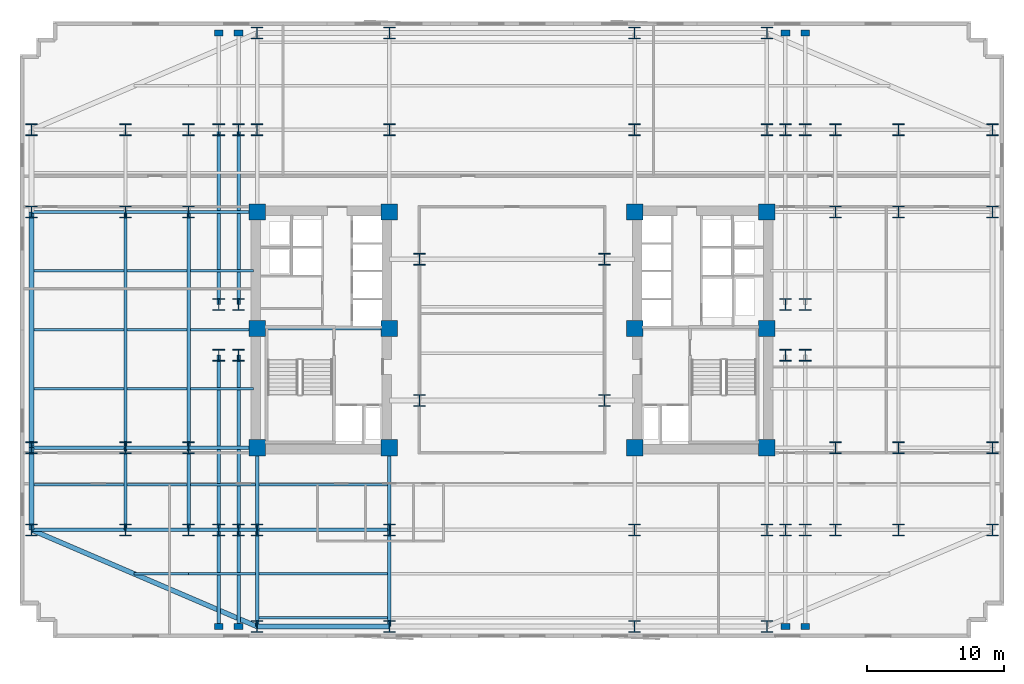
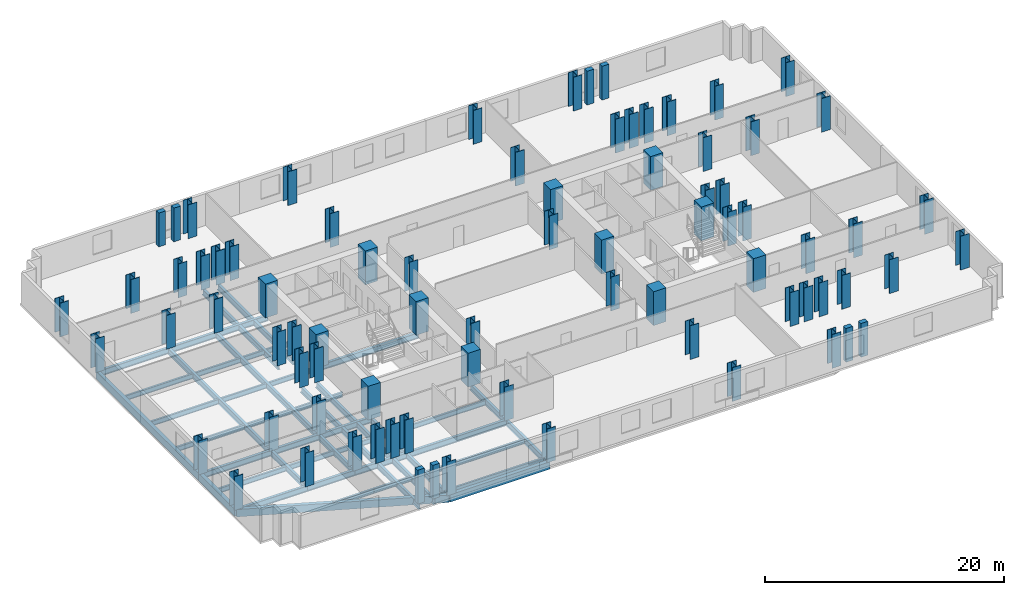
# One storey, part 1 of 10: 80 columns, 46 beams.
"""IFC4 building model written with IfcOpenShell, lengths in metres."""

import ifcopenshell
import ifcopenshell.guid

model = None  # the IFC model being written
_history = None  # IfcOwnerHistory: only IFC2X3 demands one
_inside = {}  # id of a spatial element -> (the spatial element, [elements in it])
_under = {}  # id of a project, library or spatial element -> (it, [spatial elements below it])
_declared = {}  # id of a project -> (the project, [libraries it declares])
_typed = {}  # id of a type object -> (the type object, [elements of that type])
_made_of = {}  # id of a material, layer set ... -> (it, [elements and type objects made of it])


def new_model(schema):
    """Start an empty IFC model of exactly this schema.

    Asked for "IFC4X3", IfcOpenShell would pick the latest addendum, in which some entities
    have other attributes; the version numbers below select the first issue.
    IFC2X3 requires an IfcOwnerHistory on every rooted entity: one is made here for all.
    """
    global model, _history
    if schema == "IFC4X3":
        model = ifcopenshell.file(schema_version=(4, 3, 0, 0))
    else:
        model = ifcopenshell.file(schema=schema)
    _inside.clear()
    _under.clear()
    _declared.clear()
    _typed.clear()
    _made_of.clear()
    _history = None
    if model.schema == "IFC2X3":
        org = make("IfcOrganization", Name="unknown")
        user = make(
            "IfcPersonAndOrganization",
            ThePerson=make("IfcPerson", FamilyName="unknown"),
            TheOrganization=org,
        )
        app = make(
            "IfcApplication",
            ApplicationDeveloper=org,
            Version="unknown",
            ApplicationFullName="unknown",
            ApplicationIdentifier="unknown",
        )
        _history = make(
            "IfcOwnerHistory",
            OwningUser=user,
            OwningApplication=app,
            ChangeAction="ADDED",
            CreationDate=0,
        )
    return model


def make(cls, **values):
    """One entity of the class cls with the attributes given. An attribute that is None is left unset."""
    return model.create_entity(
        cls, **{name: value for name, value in values.items() if value is not None}
    )


def rooted(cls, **values):
    """An entity with a GlobalId (a new one), such as an element, a storey or a relation."""
    return make(cls, GlobalId=ifcopenshell.guid.new(), OwnerHistory=_history, **values)


def si_unit(unit_type, name, prefix=None):
    """IfcSIUnit, for example si_unit("LENGTHUNIT", "METRE", prefix="MILLI")."""
    return make("IfcSIUnit", UnitType=unit_type, Prefix=prefix, Name=name)


def assignment(units):
    """IfcUnitAssignment: the units of a project."""
    return None if units is None else make("IfcUnitAssignment", Units=units)


def point(xyz):
    """IfcCartesianPoint."""
    return None if xyz is None else make("IfcCartesianPoint", Coordinates=xyz)


def direction(xyz):
    """IfcDirection."""
    return None if xyz is None else make("IfcDirection", DirectionRatios=xyz)


def frame(location, z_axis=None, x_axis=None):
    """IfcAxis2Placement3D, a coordinate frame: its origin and axes. An axis left out is left unset."""
    return make(
        "IfcAxis2Placement3D",
        Location=point(location),
        Axis=direction(z_axis),
        RefDirection=direction(x_axis),
    )


def frame_2d(location, x_axis=None):
    """IfcAxis2Placement2D, a coordinate frame in the plane: its origin and x axis."""
    return make(
        "IfcAxis2Placement2D", Location=point(location), RefDirection=direction(x_axis)
    )


def origin():
    """The frame at (0, 0, 0) with its axes left unset."""
    return frame((0.0, 0.0, 0.0))


def origin_2d():
    """The frame at (0, 0) in the plane with its x axis left unset."""
    return frame_2d((0.0, 0.0))


def place(relative_to, where):
    """IfcLocalPlacement: puts the frame where relative to a parent placement (None: the world)."""
    return make(
        "IfcLocalPlacement", PlacementRelTo=relative_to, RelativePlacement=where
    )


def context(
    kind, dimensions, precision=None, world=None, true_north=None, identifier=None
):
    """IfcGeometricRepresentationContext, for example the 3D "Model" context."""
    return make(
        "IfcGeometricRepresentationContext",
        ContextIdentifier=identifier,
        ContextType=kind,
        CoordinateSpaceDimension=dimensions,
        Precision=precision,
        WorldCoordinateSystem=world,
        TrueNorth=true_north,
    )


def subcontext(parent, identifier, kind, view, scale=None):
    """IfcGeometricRepresentationSubContext, for example "Body" below "Model"."""
    return make(
        "IfcGeometricRepresentationSubContext",
        ContextIdentifier=identifier,
        ContextType=kind,
        ParentContext=parent,
        TargetScale=scale,
        TargetView=view,
    )


def project(units=None, contexts=None):
    """IfcProject with its units and contexts."""
    return rooted(
        "IfcProject",
        Name="project",
        RepresentationContexts=contexts,
        UnitsInContext=assignment(units),
    )


def spatial(cls, under=None, at=None, **own):
    """A site, building, storey or space (cls), placed at a placement, below another one or the project."""
    s = rooted(cls, ObjectPlacement=at, **own)
    if under is not None:
        _under.setdefault(under.id(), (under, []))[1].append(s)
    return s


def profile(cls, at=None, kind="AREA", **sizes):
    """A parametric profile (cls). Its sizes go by their IFC names, for example OverallWidth=200.0."""
    return make(cls, ProfileType=kind, Position=at, **sizes)


def rectangle(**sizes):
    """IfcRectangleProfileDef."""
    return profile("IfcRectangleProfileDef", **sizes)


def i_section(**sizes):
    """IfcIShapeProfileDef."""
    return profile("IfcIShapeProfileDef", **sizes)


def extrude(swept, where, along, depth):
    """IfcExtrudedAreaSolid: the profile swept, set in the frame where, extruded along a direction by depth."""
    return make(
        "IfcExtrudedAreaSolid",
        SweptArea=swept,
        Position=where,
        ExtrudedDirection=direction(along),
        Depth=depth,
    )


def shape(context_of_items, identifier, shape_type, items):
    """IfcShapeRepresentation: the items that make up one representation, for example the "Body"."""
    return make(
        "IfcShapeRepresentation",
        ContextOfItems=context_of_items,
        RepresentationIdentifier=identifier,
        RepresentationType=shape_type,
        Items=items,
    )


def material(Name=None, Category=None):
    """IfcMaterial."""
    return make("IfcMaterial", Name=Name, Category=Category)


def material_profile(
    of_material, cross_section, Name=None, Category=None, Priority=None
):
    """IfcMaterialProfile: a cross section and its material."""
    return make(
        "IfcMaterialProfile",
        Name=Name,
        Material=of_material,
        Profile=cross_section,
        Priority=Priority,
        Category=Category,
    )


def profile_set(profiles, Name=None, composite=None):
    """IfcMaterialProfileSet."""
    return make(
        "IfcMaterialProfileSet",
        Name=Name,
        MaterialProfiles=profiles,
        CompositeProfile=composite,
    )


def made_of(thing, what):
    """Note that an element or type object is made of a material, layer set ...; save() writes the relation."""
    if what is not None:
        _made_of.setdefault(what.id(), (what, []))[1].append(thing)
    return thing


def type_object(cls, material=None, **own):
    """A type object (cls), such as IfcWallType, which elements share."""
    return made_of(rooted(cls, **own), material)


def element(
    cls,
    number,
    at=None,
    inside=None,
    cuts=None,
    type_object=None,
    material=None,
    context=None,
    identifier="Body",
    shape_type=None,
    held_by="IfcProductDefinitionShape",
    body=None,
    shapes=None,
    **own,
):
    """One element of the class cls, such as IfcWall. Its Tag is "e" and its number.

    at: its placement. inside: the storey or other place that contains it. cuts: it is an
    opening in that element (IfcRelVoidsElement). A single representation is given by context,
    identifier, shape_type and body (its items); several are given by shapes. held_by: the class
    of the entity that holds the representations. save() writes the other relations.
    """
    e = rooted(cls, Tag="e%d" % number, ObjectPlacement=at, **own)
    if body is not None:
        shapes = [shape(context, identifier, shape_type, body)]
    if shapes is not None:
        e.Representation = make(held_by, Representations=shapes)
    if inside is not None:
        _inside.setdefault(inside.id(), (inside, []))[1].append(e)
    if cuts is not None:
        rooted(
            "IfcRelVoidsElement", RelatingBuildingElement=cuts, RelatedOpeningElement=e
        )
    if type_object is not None:
        _typed.setdefault(type_object.id(), (type_object, []))[1].append(e)
    return made_of(e, material)


def aggregate(whole, parts):
    """IfcRelAggregates: a whole, such as a stair, and the parts it consists of."""
    return rooted("IfcRelAggregates", RelatingObject=whole, RelatedObjects=parts)


def save(model, path):
    """Write the relations noted so far, then the file.

    IfcRelAggregates (storeys below a building ...), IfcRelContainedInSpatialStructure (elements
    in a storey), IfcRelDefinesByType, IfcRelAssociatesMaterial and IfcRelDeclares: one each for
    every whole, place, type object, material and project.
    """
    for whole, parts in _under.values():
        aggregate(whole, parts)
    for where, things in _inside.values():
        rooted(
            "IfcRelContainedInSpatialStructure",
            RelatedElements=things,
            RelatingStructure=where,
        )
    for kind, things in _typed.values():
        rooted("IfcRelDefinesByType", RelatedObjects=things, RelatingType=kind)
    for what, things in _made_of.values():
        rooted("IfcRelAssociatesMaterial", RelatedObjects=things, RelatingMaterial=what)
    for by, libraries in _declared.values():
        rooted("IfcRelDeclares", RelatingContext=by, RelatedDefinitions=libraries)
    model.write(path)


model = new_model("IFC4")

# Units and contexts
model_context = context("Model", 3, precision=1e-05, world=origin(), true_north=direction((0.0, 1.0)))
body_context = subcontext(model_context, "Body", "Model", "MODEL_VIEW")
ifc_project = project(units=[si_unit("LENGTHUNIT", "METRE"), si_unit("AREAUNIT", "SQUARE_METRE"), si_unit("VOLUMEUNIT", "CUBIC_METRE"), si_unit("PLANEANGLEUNIT", "RADIAN"), si_unit("MASSUNIT", "GRAM", prefix="KILO")], contexts=[model_context])

# Site, building, storey
site_placement = place(None, origin())
site = spatial("IfcSite", under=ifc_project, at=site_placement, CompositionType="ELEMENT")
building_placement = place(site_placement, origin())
building = spatial("IfcBuilding", under=site, at=building_placement, Name="Velakula Bourse", CompositionType="ELEMENT")
storey_placement = place(building_placement, frame((0.0, 0.0, 38.10009765625)))
storey = spatial("IfcBuildingStorey", under=building, at=storey_placement, Name="L09", CompositionType="ELEMENT", Elevation=38.10009765625)

# Columns
ifc_material_1 = material(Name="Concrete M70 (fck 70 MPa)", Category="concrete")
ifc_material_profile_1 = material_profile(ifc_material_1, rectangle(XDim=1.199951171875, YDim=1.199951171875, at=origin_2d()), Name="Concrete M70 (fck 70 MPa)")
ifc_profile_set_1 = profile_set([ifc_material_profile_1], Name="Concrete M70 (fck 70 MPa)")
column_type_1 = type_object("IfcColumnType", Name="COL-RC-1200", PredefinedType="COLUMN", material=ifc_profile_set_1)
for number, where, z_axis, x_axis, name in (
    (1, (-8.949951171875, -8.60009765625, 0.0), (0.0, 0.0, 1.0), (1.0, 0.0, 0.0), "L09 Core Boundary Column 01"),
    (2, (-8.949951171875, 0.10009765625, 0.0), (0.0, 0.0, 1.0), (1.0, 0.0, 0.0), "L09 Core Boundary Column 02"),
    (3, (-8.949951171875, 8.60009765625, 0.0), (0.0, 0.0, 1.0), (1.0, 0.0, 0.0), "L09 Core Boundary Column 03"),
    (4, (-18.60009765625, -8.60009765625, 0.0), (0.0, 0.0, 1.0), (1.0, 0.0, 0.0), "L09 Core Boundary Column 04"),
    (5, (-18.60009765625, 0.10009765625, 0.0), (0.0, 0.0, 1.0), (1.0, 0.0, 0.0), "L09 Core Boundary Column 05"),
    (6, (-18.60009765625, 8.60009765625, 0.0), (0.0, 0.0, 1.0), (1.0, 0.0, 0.0), "L09 Core Boundary Column 06"),
    (7, (8.949951171875, -8.60009765625, 0.0), (0.0, 0.0, 1.0), (1.0, 0.0, 0.0), "L09 Core Boundary Column 07"),
    (8, (8.949951171875, 0.10009765625, 0.0), (0.0, 0.0, 1.0), (1.0, 0.0, 0.0), "L09 Core Boundary Column 08"),
    (9, (8.949951171875, 8.60009765625, 0.0), (0.0, 0.0, 1.0), (1.0, 0.0, 0.0), "L09 Core Boundary Column 09"),
    (10, (18.60009765625, -8.60009765625, 0.0), (0.0, 0.0, 1.0), (1.0, 0.0, 0.0), "L09 Core Boundary Column 10"),
    (11, (18.60009765625, 0.10009765625, 0.0), (0.0, 0.0, 1.0), (1.0, 0.0, 0.0), "L09 Core Boundary Column 11"),
    (12, (18.60009765625, 8.60009765625, 0.0), (0.0, 0.0, 1.0), (1.0, 0.0, 0.0), "L09 Core Boundary Column 12"),
):
    element("IfcColumn", number, at=place(storey_placement, frame(where, z_axis=z_axis, x_axis=x_axis)), inside=storey, type_object=column_type_1, Name=name, PredefinedType="COLUMN", context=body_context, shape_type="SweptSolid", body=[
        extrude(rectangle(XDim=1.199951171875, YDim=1.199951171875, at=origin_2d()), origin(), (0.0, 0.0, 1.0), 3.449951171875),
    ])
ifc_material_2 = material(Name="Steel IS 2062 Grade 450 (E450)", Category="steel")
ifc_material_profile_2 = material_profile(ifc_material_2, i_section(OverallWidth=0.85009765625, OverallDepth=0.85009765625, WebThickness=0.031982421875, FlangeThickness=0.048095703125, at=origin_2d()), Name="Steel IS 2062 Grade 450 (E450)")
ifc_profile_set_2 = profile_set([ifc_material_profile_2], Name="Steel IS 2062 Grade 450 (E450)")
column_type_2 = type_object("IfcColumnType", Name="COL-STL-850", PredefinedType="COLUMN", material=ifc_profile_set_2)
for number, where, z_axis, x_axis, name in (
    (13, (-6.75, -5.14990234375, 0.0), (0.0, 0.0, 1.0), (1.0, 0.0, 0.0), "L09 Central Spine Column 01"),
    (14, (-6.75, 5.14990234375, 0.0), (0.0, 0.0, 1.0), (1.0, 0.0, 0.0), "L09 Central Spine Column 02"),
    (15, (6.75, -5.14990234375, 0.0), (0.0, 0.0, 1.0), (1.0, 0.0, 0.0), "L09 Central Spine Column 03"),
    (16, (6.75, 5.14990234375, 0.0), (0.0, 0.0, 1.0), (1.0, 0.0, 0.0), "L09 Central Spine Column 04"),
    (17, (-21.39990234375, -14.60009765625, 0.0), (0.0, 0.0, 1.0), (1.0, 0.0, 0.0), "L09 Tower Fulcrum Column 01"),
    (18, (-21.39990234375, 14.60009765625, 0.0), (0.0, 0.0, 1.0), (1.0, 0.0, 0.0), "L09 Tower Fulcrum Column 02"),
    (19, (-19.949951171875, -14.60009765625, 0.0), (0.0, 0.0, 1.0), (1.0, 0.0, 0.0), "L09 Tower Fulcrum Column 03"),
    (20, (-19.949951171875, 14.60009765625, 0.0), (0.0, 0.0, 1.0), (1.0, 0.0, 0.0), "L09 Tower Fulcrum Column 04"),
    (21, (-18.60009765625, -14.60009765625, 0.0), (0.0, 0.0, 1.0), (1.0, 0.0, 0.0), "L09 Tower Fulcrum Column 05"),
    (22, (-18.60009765625, 14.60009765625, 0.0), (0.0, 0.0, 1.0), (1.0, 0.0, 0.0), "L09 Tower Fulcrum Column 06"),
    (23, (-8.949951171875, -14.60009765625, 0.0), (0.0, 0.0, 1.0), (1.0, 0.0, 0.0), "L09 Tower Fulcrum Column 07"),
    (24, (-8.949951171875, 14.60009765625, 0.0), (0.0, 0.0, 1.0), (1.0, 0.0, 0.0), "L09 Tower Fulcrum Column 08"),
    (25, (8.949951171875, -14.60009765625, 0.0), (0.0, 0.0, 1.0), (1.0, 0.0, 0.0), "L09 Tower Fulcrum Column 09"),
    (26, (8.949951171875, 14.60009765625, 0.0), (0.0, 0.0, 1.0), (1.0, 0.0, 0.0), "L09 Tower Fulcrum Column 10"),
    (27, (18.60009765625, -14.60009765625, 0.0), (0.0, 0.0, 1.0), (1.0, 0.0, 0.0), "L09 Tower Fulcrum Column 11"),
    (28, (18.60009765625, 14.60009765625, 0.0), (0.0, 0.0, 1.0), (1.0, 0.0, 0.0), "L09 Tower Fulcrum Column 12"),
    (29, (19.949951171875, -14.60009765625, 0.0), (0.0, 0.0, 1.0), (1.0, 0.0, 0.0), "L09 Tower Fulcrum Column 13"),
    (30, (19.949951171875, 14.60009765625, 0.0), (0.0, 0.0, 1.0), (1.0, 0.0, 0.0), "L09 Tower Fulcrum Column 14"),
    (31, (21.39990234375, -14.60009765625, 0.0), (0.0, 0.0, 1.0), (1.0, 0.0, 0.0), "L09 Tower Fulcrum Column 15"),
    (32, (21.39990234375, 14.60009765625, 0.0), (0.0, 0.0, 1.0), (1.0, 0.0, 0.0), "L09 Tower Fulcrum Column 16"),
    (33, (-21.39990234375, -1.85009765625, 0.0), (0.0, 0.0, 1.0), (1.0, 0.0, 0.0), "L09 Tower Fulcrum Column 17"),
    (34, (-21.39990234375, 1.85009765625, 0.0), (0.0, 0.0, 1.0), (1.0, 0.0, 0.0), "L09 Tower Fulcrum Column 18"),
    (35, (-19.949951171875, -1.85009765625, 0.0), (0.0, 0.0, 1.0), (1.0, 0.0, 0.0), "L09 Tower Fulcrum Column 19"),
    (36, (-19.949951171875, 1.85009765625, 0.0), (0.0, 0.0, 1.0), (1.0, 0.0, 0.0), "L09 Tower Fulcrum Column 20"),
    (37, (19.949951171875, -1.85009765625, 0.0), (0.0, 0.0, 1.0), (1.0, 0.0, 0.0), "L09 Tower Fulcrum Column 21"),
    (38, (19.949951171875, 1.85009765625, 0.0), (0.0, 0.0, 1.0), (1.0, 0.0, 0.0), "L09 Tower Fulcrum Column 22"),
    (39, (21.39990234375, -1.85009765625, 0.0), (0.0, 0.0, 1.0), (1.0, 0.0, 0.0), "L09 Tower Fulcrum Column 23"),
    (40, (21.39990234375, 1.85009765625, 0.0), (0.0, 0.0, 1.0), (1.0, 0.0, 0.0), "L09 Tower Fulcrum Column 24"),
    (41, (-23.60009765625, -14.60009765625, 0.0), (0.0, 0.0, 1.0), (1.0, 0.0, 0.0), "L09 Mid-Wing Plumb Column 01"),
    (42, (-23.60009765625, -8.60009765625, 0.0), (0.0, 0.0, 1.0), (1.0, 0.0, 0.0), "L09 Mid-Wing Plumb Column 02"),
    (43, (-23.60009765625, 8.60009765625, 0.0), (0.0, 0.0, 1.0), (1.0, 0.0, 0.0), "L09 Mid-Wing Plumb Column 03"),
    (44, (-23.60009765625, 14.60009765625, 0.0), (0.0, 0.0, 1.0), (1.0, 0.0, 0.0), "L09 Mid-Wing Plumb Column 04"),
    (45, (23.60009765625, -14.60009765625, 0.0), (0.0, 0.0, 1.0), (1.0, 0.0, 0.0), "L09 Mid-Wing Plumb Column 05"),
    (46, (23.60009765625, -8.60009765625, 0.0), (0.0, 0.0, 1.0), (1.0, 0.0, 0.0), "L09 Mid-Wing Plumb Column 06"),
    (47, (23.60009765625, 8.60009765625, 0.0), (0.0, 0.0, 1.0), (1.0, 0.0, 0.0), "L09 Mid-Wing Plumb Column 07"),
    (48, (23.60009765625, 14.60009765625, 0.0), (0.0, 0.0, 1.0), (1.0, 0.0, 0.0), "L09 Mid-Wing Plumb Column 08"),
    (49, (-28.199951171875, -14.60009765625, 0.0), (0.0, 0.0, 1.0), (1.0, 0.0, 0.0), "L09 Lower Wing Column 01"),
    (50, (-28.199951171875, -8.60009765625, 0.0), (0.0, 0.0, 1.0), (1.0, 0.0, 0.0), "L09 Lower Wing Column 02"),
    (51, (-28.199951171875, 8.60009765625, 0.0), (0.0, 0.0, 1.0), (1.0, 0.0, 0.0), "L09 Lower Wing Column 03"),
    (52, (-28.199951171875, 14.60009765625, 0.0), (0.0, 0.0, 1.0), (1.0, 0.0, 0.0), "L09 Lower Wing Column 04"),
    (53, (28.199951171875, -14.60009765625, 0.0), (0.0, 0.0, 1.0), (1.0, 0.0, 0.0), "L09 Lower Wing Column 05"),
    (54, (28.199951171875, -8.60009765625, 0.0), (0.0, 0.0, 1.0), (1.0, 0.0, 0.0), "L09 Lower Wing Column 06"),
    (55, (28.199951171875, 8.60009765625, 0.0), (0.0, 0.0, 1.0), (1.0, 0.0, 0.0), "L09 Lower Wing Column 07"),
    (56, (28.199951171875, 14.60009765625, 0.0), (0.0, 0.0, 1.0), (1.0, 0.0, 0.0), "L09 Lower Wing Column 08"),
    (57, (-18.60009765625, -21.64990234375, 0.0), (0.0, 0.0, 1.0), (1.0, 0.0, 0.0), "L09 Block B1 Perimeter Column S1"),
    (58, (-8.949951171875, -21.64990234375, 0.0), (0.0, 0.0, 1.0), (1.0, 0.0, 0.0), "L09 Block B1 Perimeter Column S2"),
    (59, (8.949951171875, -21.64990234375, 0.0), (0.0, 0.0, 1.0), (1.0, 0.0, 0.0), "L09 Block B1 Perimeter Column S3"),
    (60, (18.60009765625, -21.64990234375, 0.0), (0.0, 0.0, 1.0), (1.0, 0.0, 0.0), "L09 Block B1 Perimeter Column S4"),
    (61, (-18.60009765625, 21.64990234375, 0.0), (0.0, 0.0, 1.0), (1.0, 0.0, 0.0), "L09 Block B1 Perimeter Column N1"),
    (62, (-8.949951171875, 21.64990234375, 0.0), (0.0, 0.0, 1.0), (1.0, 0.0, 0.0), "L09 Block B1 Perimeter Column N2"),
    (63, (8.949951171875, 21.64990234375, 0.0), (0.0, 0.0, 1.0), (1.0, 0.0, 0.0), "L09 Block B1 Perimeter Column N3"),
    (64, (18.60009765625, 21.64990234375, 0.0), (0.0, 0.0, 1.0), (1.0, 0.0, 0.0), "L09 Block B1 Perimeter Column N4"),
    (65, (-35.050048828125, -14.60009765625, 0.0), (0.0, 0.0, 1.0), (1.0, 0.0, 0.0), "L09 Block B1 Perimeter Column W1"),
    (66, (-35.050048828125, -8.60009765625, 0.0), (0.0, 0.0, 1.0), (1.0, 0.0, 0.0), "L09 Block B1 Perimeter Column W2"),
    (67, (-35.050048828125, 8.60009765625, 0.0), (0.0, 0.0, 1.0), (1.0, 0.0, 0.0), "L09 Block B1 Perimeter Column W3"),
    (68, (-35.050048828125, 14.60009765625, 0.0), (0.0, 0.0, 1.0), (1.0, 0.0, 0.0), "L09 Block B1 Perimeter Column W4"),
    (69, (35.050048828125, -14.60009765625, 0.0), (0.0, 0.0, 1.0), (1.0, 0.0, 0.0), "L09 Block B1 Perimeter Column E1"),
    (70, (35.050048828125, -8.60009765625, 0.0), (0.0, 0.0, 1.0), (1.0, 0.0, 0.0), "L09 Block B1 Perimeter Column E2"),
    (71, (35.050048828125, 8.60009765625, 0.0), (0.0, 0.0, 1.0), (1.0, 0.0, 0.0), "L09 Block B1 Perimeter Column E3"),
    (72, (35.050048828125, 14.60009765625, 0.0), (0.0, 0.0, 1.0), (1.0, 0.0, 0.0), "L09 Block B1 Perimeter Column E4"),
):
    element("IfcColumn", number, at=place(storey_placement, frame(where, z_axis=z_axis, x_axis=x_axis)), inside=storey, type_object=column_type_2, Name=name, PredefinedType="COLUMN", context=body_context, shape_type="SweptSolid", body=[
        extrude(i_section(OverallWidth=0.85009765625, OverallDepth=0.85009765625, WebThickness=0.031982421875, FlangeThickness=0.048095703125, at=origin_2d()), origin(), (0.0, 0.0, 1.0), 3.449951171875),
    ])
ifc_material_3 = material(Name="Precast concrete M45 (fck 45 MPa)", Category="concrete")
ifc_material_profile_3 = material_profile(ifc_material_3, rectangle(XDim=0.64990234375, YDim=0.449951171875, at=origin_2d()), Name="Precast concrete M45 (fck 45 MPa)")
ifc_profile_set_3 = profile_set([ifc_material_profile_3], Name="Precast concrete M45 (fck 45 MPa)")
column_type_3 = type_object("IfcColumnType", Name="PIL-BRICK-650", PredefinedType="PILASTER", material=ifc_profile_set_3)
for number, where, z_axis, x_axis, name in (
    (73, (-21.39990234375, -21.64990234375, 0.0), (0.0, 0.0, 1.0), (1.0, 0.0, 0.0), "L09 Brick Pier Pilaster 01"),
    (74, (-19.949951171875, -21.64990234375, 0.0), (0.0, 0.0, 1.0), (1.0, 0.0, 0.0), "L09 Brick Pier Pilaster 02"),
    (75, (19.949951171875, -21.64990234375, 0.0), (0.0, 0.0, 1.0), (1.0, 0.0, 0.0), "L09 Brick Pier Pilaster 03"),
    (76, (21.39990234375, -21.64990234375, 0.0), (0.0, 0.0, 1.0), (1.0, 0.0, 0.0), "L09 Brick Pier Pilaster 04"),
    (77, (-21.39990234375, 21.64990234375, 0.0), (0.0, 0.0, 1.0), (1.0, 0.0, 0.0), "L09 Brick Pier Pilaster 05"),
    (78, (-19.949951171875, 21.64990234375, 0.0), (0.0, 0.0, 1.0), (1.0, 0.0, 0.0), "L09 Brick Pier Pilaster 06"),
    (79, (19.949951171875, 21.64990234375, 0.0), (0.0, 0.0, 1.0), (1.0, 0.0, 0.0), "L09 Brick Pier Pilaster 07"),
    (80, (21.39990234375, 21.64990234375, 0.0), (0.0, 0.0, 1.0), (1.0, 0.0, 0.0), "L09 Brick Pier Pilaster 08"),
):
    element("IfcColumn", number, at=place(storey_placement, frame(where, z_axis=z_axis, x_axis=x_axis)), inside=storey, type_object=column_type_3, Name=name, PredefinedType="PILASTER", context=body_context, shape_type="SweptSolid", body=[
        extrude(rectangle(XDim=0.64990234375, YDim=0.449951171875, at=origin_2d()), origin(), (0.0, 0.0, 1.0), 3.449951171875),
    ])

# Beams
ifc_material_4 = material(Name="Steel IS 2062 Grade 350 (E350)", Category="steel")
ifc_material_profile_4 = material_profile(ifc_material_4, i_section(OverallWidth=0.25, OverallDepth=0.60009765625, WebThickness=0.01171875, FlangeThickness=0.023681640625, at=origin_2d()), Name="Steel IS 2062 Grade 350 (E350)")
ifc_profile_set_4 = profile_set([ifc_material_profile_4], Name="Steel IS 2062 Grade 350 (E350)")
beam_type_1 = type_object("IfcBeamType", Name="BM-GRD-600H", PredefinedType="BEAM", material=ifc_profile_set_4)
beam_1_placement = place(storey_placement, frame((-18.60009765625, 0.10009765625, -0.47998046875), z_axis=(1.0, 0.0, 0.0), x_axis=(0.0, 1.0, 0.0)))
element("IfcBeam", 81, at=beam_1_placement, inside=storey, type_object=beam_type_1, Name="L09 Primary Backbone Girder CRW-M", PredefinedType="BEAM", context=body_context, shape_type="SweptSolid", body=[
    extrude(i_section(OverallWidth=0.25, OverallDepth=0.60009765625, WebThickness=0.01171875, FlangeThickness=0.023681640625, at=origin_2d()), origin(), (0.0, 0.0, 1.0), 9.650146484375),
])
for number, where, z_axis, x_axis, name in (
    (82, (-18.60009765625, -14.60009765625, -0.47998046875), (0.0, 1.0, 0.0), (-1.0, 0.0, 0.0), "L09 Fulcrum Grid Girder FLC-WS"),
    (83, (-8.949951171875, -14.60009765625, -0.47998046875), (0.0, 1.0, 0.0), (-1.0, 0.0, 0.0), "L09 Fulcrum Grid Girder FLC-WCS"),
):
    element("IfcBeam", number, at=place(storey_placement, frame(where, z_axis=z_axis, x_axis=x_axis)), inside=storey, type_object=beam_type_1, Name=name, PredefinedType="BEAM", context=body_context, shape_type="SweptSolid", body=[
        extrude(i_section(OverallWidth=0.25, OverallDepth=0.60009765625, WebThickness=0.01171875, FlangeThickness=0.023681640625, at=origin_2d()), origin(), (0.0, 0.0, 1.0), 6.0),
    ])
beam_2_placement = place(storey_placement, frame((-18.60009765625, -14.60009765625, -0.47998046875), z_axis=(1.0, 0.0, 0.0), x_axis=(0.0, 1.0, 0.0)))
element("IfcBeam", 84, at=beam_2_placement, inside=storey, type_object=beam_type_1, Name="L09 Fulcrum Grid Girder FLC-S1", PredefinedType="BEAM", context=body_context, shape_type="SweptSolid", body=[
    extrude(i_section(OverallWidth=0.25, OverallDepth=0.60009765625, WebThickness=0.01171875, FlangeThickness=0.023681640625, at=origin_2d()), origin(), (0.0, 0.0, 1.0), 9.650146484375),
])
for number, where, z_axis, x_axis, name in (
    (85, (-21.39990234375, -14.60009765625, -0.47998046875), (0.0, 1.0, 0.0), (-1.0, 0.0, 0.0), "L09 Fulcrum Grid Girder FLC-PSW1"),
    (86, (-21.39990234375, 1.85009765625, -0.47998046875), (0.0, 1.0, 0.0), (-1.0, 0.0, 0.0), "L09 Fulcrum Grid Girder FLC-PNW1"),
    (87, (-19.949951171875, -14.60009765625, -0.47998046875), (0.0, 1.0, 0.0), (-1.0, 0.0, 0.0), "L09 Fulcrum Grid Girder FLC-PSW2"),
    (88, (-19.949951171875, 1.85009765625, -0.47998046875), (0.0, 1.0, 0.0), (-1.0, 0.0, 0.0), "L09 Fulcrum Grid Girder FLC-PNW2"),
):
    element("IfcBeam", number, at=place(storey_placement, frame(where, z_axis=z_axis, x_axis=x_axis)), inside=storey, type_object=beam_type_1, Name=name, PredefinedType="BEAM", context=body_context, shape_type="SweptSolid", body=[
        extrude(i_section(OverallWidth=0.25, OverallDepth=0.60009765625, WebThickness=0.01171875, FlangeThickness=0.023681640625, at=origin_2d()), origin(), (0.0, 0.0, 1.0), 12.75),
    ])
for number, where, z_axis, x_axis, name in (
    (89, (-23.60009765625, -14.60009765625, -0.47998046875), (1.0, 0.0, 0.0), (0.0, 1.0, 0.0), "L09 Fulcrum Grid Girder MWG-WS1"),
    (90, (-23.60009765625, -8.60009765625, -0.47998046875), (1.0, 0.0, 0.0), (0.0, 1.0, 0.0), "L09 Fulcrum Grid Girder MWG-WS2"),
    (91, (-23.60009765625, 8.60009765625, -0.47998046875), (1.0, 0.0, 0.0), (0.0, 1.0, 0.0), "L09 Fulcrum Grid Girder MWG-WN1"),
):
    element("IfcBeam", number, at=place(storey_placement, frame(where, z_axis=z_axis, x_axis=x_axis)), inside=storey, type_object=beam_type_1, Name=name, PredefinedType="BEAM", context=body_context, shape_type="SweptSolid", body=[
        extrude(i_section(OverallWidth=0.25, OverallDepth=0.60009765625, WebThickness=0.01171875, FlangeThickness=0.023681640625, at=origin_2d()), origin(), (0.0, 0.0, 1.0), 5.0),
    ])
beam_3_placement = place(storey_placement, frame((-23.60009765625, -14.60009765625, -0.47998046875), z_axis=(0.0, 1.0, 0.0), x_axis=(-1.0, 0.0, 0.0)))
element("IfcBeam", 92, at=beam_3_placement, inside=storey, type_object=beam_type_1, Name="L09 Fulcrum Grid Girder MWG-WNS1", PredefinedType="BEAM", context=body_context, shape_type="SweptSolid", body=[
    extrude(i_section(OverallWidth=0.25, OverallDepth=0.60009765625, WebThickness=0.01171875, FlangeThickness=0.023681640625, at=origin_2d()), origin(), (0.0, 0.0, 1.0), 6.0),
])
beam_4_placement = place(storey_placement, frame((-23.60009765625, -8.60009765625, -0.47998046875), z_axis=(0.0, 1.0, 0.0), x_axis=(-1.0, 0.0, 0.0)))
element("IfcBeam", 93, at=beam_4_placement, inside=storey, type_object=beam_type_1, Name="L09 Fulcrum Grid Girder MWG-WNS2", PredefinedType="BEAM", context=body_context, shape_type="SweptSolid", body=[
    extrude(i_section(OverallWidth=0.25, OverallDepth=0.60009765625, WebThickness=0.01171875, FlangeThickness=0.023681640625, at=origin_2d()), origin(), (0.0, 0.0, 1.0), 17.2001953125),
])
for number, where, z_axis, x_axis, name in (
    (94, (-28.199951171875, -14.60009765625, -0.47998046875), (1.0, 0.0, 0.0), (0.0, 1.0, 0.0), "L09 Fulcrum Grid Girder WNG-WS1"),
    (95, (-28.199951171875, -8.60009765625, -0.47998046875), (1.0, 0.0, 0.0), (0.0, 1.0, 0.0), "L09 Fulcrum Grid Girder WNG-WS2"),
    (96, (-28.199951171875, 8.60009765625, -0.47998046875), (1.0, 0.0, 0.0), (0.0, 1.0, 0.0), "L09 Fulcrum Grid Girder WNG-WN1"),
):
    element("IfcBeam", number, at=place(storey_placement, frame(where, z_axis=z_axis, x_axis=x_axis)), inside=storey, type_object=beam_type_1, Name=name, PredefinedType="BEAM", context=body_context, shape_type="SweptSolid", body=[
        extrude(i_section(OverallWidth=0.25, OverallDepth=0.60009765625, WebThickness=0.01171875, FlangeThickness=0.023681640625, at=origin_2d()), origin(), (0.0, 0.0, 1.0), 4.599853515625),
    ])
beam_5_placement = place(storey_placement, frame((-28.199951171875, -14.60009765625, -0.47998046875), z_axis=(0.0, 1.0, 0.0), x_axis=(-1.0, 0.0, 0.0)))
element("IfcBeam", 97, at=beam_5_placement, inside=storey, type_object=beam_type_1, Name="L09 Fulcrum Grid Girder WNG-WNS1", PredefinedType="BEAM", context=body_context, shape_type="SweptSolid", body=[
    extrude(i_section(OverallWidth=0.25, OverallDepth=0.60009765625, WebThickness=0.01171875, FlangeThickness=0.023681640625, at=origin_2d()), origin(), (0.0, 0.0, 1.0), 6.0),
])
beam_6_placement = place(storey_placement, frame((-28.199951171875, -8.60009765625, -0.47998046875), z_axis=(0.0, 1.0, 0.0), x_axis=(-1.0, 0.0, 0.0)))
element("IfcBeam", 98, at=beam_6_placement, inside=storey, type_object=beam_type_1, Name="L09 Fulcrum Grid Girder WNG-WNS2", PredefinedType="BEAM", context=body_context, shape_type="SweptSolid", body=[
    extrude(i_section(OverallWidth=0.25, OverallDepth=0.60009765625, WebThickness=0.01171875, FlangeThickness=0.023681640625, at=origin_2d()), origin(), (0.0, 0.0, 1.0), 17.2001953125),
])
for number, where, z_axis, x_axis, name in (
    (99, (-18.60009765625, -14.60009765625, -0.47998046875), (0.0, -1.0, 0.0), (1.0, 0.0, 0.0), "L09 Perimeter Tie Girder S1"),
    (100, (-8.949951171875, -14.60009765625, -0.47998046875), (0.0, -1.0, 0.0), (1.0, 0.0, 0.0), "L09 Perimeter Tie Girder S2"),
):
    element("IfcBeam", number, at=place(storey_placement, frame(where, z_axis=z_axis, x_axis=x_axis)), inside=storey, type_object=beam_type_1, Name=name, PredefinedType="BEAM", context=body_context, shape_type="SweptSolid", body=[
        extrude(i_section(OverallWidth=0.25, OverallDepth=0.60009765625, WebThickness=0.01171875, FlangeThickness=0.023681640625, at=origin_2d()), origin(), (0.0, 0.0, 1.0), 7.0498046875),
    ])
for number, where, z_axis, x_axis, name in (
    (101, (-28.199951171875, -14.60009765625, -0.47998046875), (-1.0, 0.0, 0.0), (0.0, -1.0, 0.0), "L09 Perimeter Tie Girder W1"),
    (102, (-28.199951171875, -8.60009765625, -0.47998046875), (-1.0, 0.0, 0.0), (0.0, -1.0, 0.0), "L09 Perimeter Tie Girder W2"),
    (103, (-28.199951171875, 8.60009765625, -0.47998046875), (-1.0, 0.0, 0.0), (0.0, -1.0, 0.0), "L09 Perimeter Tie Girder W3"),
):
    element("IfcBeam", number, at=place(storey_placement, frame(where, z_axis=z_axis, x_axis=x_axis)), inside=storey, type_object=beam_type_1, Name=name, PredefinedType="BEAM", context=body_context, shape_type="SweptSolid", body=[
        extrude(i_section(OverallWidth=0.25, OverallDepth=0.60009765625, WebThickness=0.01171875, FlangeThickness=0.023681640625, at=origin_2d()), origin(), (0.0, 0.0, 1.0), 6.85009765625),
    ])
for number, where, z_axis, x_axis, name in (
    (104, (-21.39990234375, -14.60009765625, -0.47998046875), (0.0, -1.0, 0.0), (1.0, 0.0, 0.0), "L09 Perimeter Tie Girder P01"),
    (105, (-19.949951171875, -14.60009765625, -0.47998046875), (0.0, -1.0, 0.0), (1.0, 0.0, 0.0), "L09 Perimeter Tie Girder P02"),
):
    element("IfcBeam", number, at=place(storey_placement, frame(where, z_axis=z_axis, x_axis=x_axis)), inside=storey, type_object=beam_type_1, Name=name, PredefinedType="BEAM", context=body_context, shape_type="SweptSolid", body=[
        extrude(i_section(OverallWidth=0.25, OverallDepth=0.60009765625, WebThickness=0.01171875, FlangeThickness=0.023681640625, at=origin_2d()), origin(), (0.0, 0.0, 1.0), 7.0498046875),
    ])
ifc_material_profile_5 = material_profile(ifc_material_4, i_section(OverallWidth=0.179931640625, OverallDepth=0.5, WebThickness=0.01025390625, FlangeThickness=0.01708984375, at=origin_2d()), Name="Steel IS 2062 Grade 350 (E350)")
ifc_profile_set_5 = profile_set([ifc_material_profile_5], Name="Steel IS 2062 Grade 350 (E350)")
beam_type_2 = type_object("IfcBeamType", Name="JST-TWR-500", PredefinedType="JOIST", material=ifc_profile_set_5)
beam_7_placement = place(storey_placement, frame((-18.47509765625, -21.0, -0.43017578125), z_axis=(1.0, 0.0, 0.0), x_axis=(0.0, 1.0, 0.0)))
element("IfcBeam", 106, at=beam_7_placement, inside=storey, type_object=beam_type_2, Name="L09 Trading Floor Composite Joist 01", PredefinedType="JOIST", context=body_context, shape_type="SweptSolid", body=[
    extrude(i_section(OverallWidth=0.179931640625, OverallDepth=0.5, WebThickness=0.01025390625, FlangeThickness=0.01708984375, at=origin_2d()), origin(), (0.0, 0.0, 1.0), 9.400146484375),
])
beam_8_placement = place(storey_placement, frame((-27.583251953125, -17.800048828125, -0.43017578125), z_axis=(1.0, 0.0, 0.0), x_axis=(0.0, 1.0, 0.0)))
element("IfcBeam", 107, at=beam_8_placement, inside=storey, type_object=beam_type_2, Name="L09 Trading Floor Composite Joist 04", PredefinedType="JOIST", context=body_context, shape_type="SweptSolid", body=[
    extrude(i_section(OverallWidth=0.179931640625, OverallDepth=0.5, WebThickness=0.01025390625, FlangeThickness=0.01708984375, at=origin_2d()), origin(), (0.0, 0.0, 1.0), 3.983154296875),
])
beam_9_placement = place(storey_placement, frame((-23.60009765625, -17.800048828125, -0.43017578125), z_axis=(1.0, 0.0, 0.0), x_axis=(0.0, 1.0, 0.0)))
element("IfcBeam", 108, at=beam_9_placement, inside=storey, type_object=beam_type_2, Name="L09 Trading Floor Composite Joist 05", PredefinedType="JOIST", context=body_context, shape_type="SweptSolid", body=[
    extrude(i_section(OverallWidth=0.179931640625, OverallDepth=0.5, WebThickness=0.01025390625, FlangeThickness=0.01708984375, at=origin_2d()), origin(), (0.0, 0.0, 1.0), 4.875),
])
beam_10_placement = place(storey_placement, frame((-18.47509765625, -17.800048828125, -0.43017578125), z_axis=(1.0, 0.0, 0.0), x_axis=(0.0, 1.0, 0.0)))
element("IfcBeam", 109, at=beam_10_placement, inside=storey, type_object=beam_type_2, Name="L09 Trading Floor Composite Joist 06", PredefinedType="JOIST", context=body_context, shape_type="SweptSolid", body=[
    extrude(i_section(OverallWidth=0.179931640625, OverallDepth=0.5, WebThickness=0.01025390625, FlangeThickness=0.01708984375, at=origin_2d()), origin(), (0.0, 0.0, 1.0), 9.400146484375),
])
beam_11_placement = place(storey_placement, frame((-34.875, -11.300048828125, -0.43017578125), z_axis=(1.0, 0.0, 0.0), x_axis=(0.0, 1.0, 0.0)))
element("IfcBeam", 110, at=beam_11_placement, inside=storey, type_object=beam_type_2, Name="L09 Trading Floor Composite Joist 11", PredefinedType="JOIST", context=body_context, shape_type="SweptSolid", body=[
    extrude(i_section(OverallWidth=0.179931640625, OverallDepth=0.5, WebThickness=0.01025390625, FlangeThickness=0.01708984375, at=origin_2d()), origin(), (0.0, 0.0, 1.0), 6.550048828125),
])
beam_12_placement = place(storey_placement, frame((-28.074951171875, -11.300048828125, -0.43017578125), z_axis=(1.0, 0.0, 0.0), x_axis=(0.0, 1.0, 0.0)))
element("IfcBeam", 111, at=beam_12_placement, inside=storey, type_object=beam_type_2, Name="L09 Trading Floor Composite Joist 12", PredefinedType="JOIST", context=body_context, shape_type="SweptSolid", body=[
    extrude(i_section(OverallWidth=0.179931640625, OverallDepth=0.5, WebThickness=0.01025390625, FlangeThickness=0.01708984375, at=origin_2d()), origin(), (0.0, 0.0, 1.0), 4.349853515625),
])
beam_13_placement = place(storey_placement, frame((-23.47509765625, -11.300048828125, -0.43017578125), z_axis=(1.0, 0.0, 0.0), x_axis=(0.0, 1.0, 0.0)))
element("IfcBeam", 112, at=beam_13_placement, inside=storey, type_object=beam_type_2, Name="L09 Trading Floor Composite Joist 13", PredefinedType="JOIST", context=body_context, shape_type="SweptSolid", body=[
    extrude(i_section(OverallWidth=0.179931640625, OverallDepth=0.5, WebThickness=0.01025390625, FlangeThickness=0.01708984375, at=origin_2d()), origin(), (0.0, 0.0, 1.0), 4.75),
])
beam_14_placement = place(storey_placement, frame((-18.47509765625, -11.300048828125, -0.43017578125), z_axis=(1.0, 0.0, 0.0), x_axis=(0.0, 1.0, 0.0)))
element("IfcBeam", 113, at=beam_14_placement, inside=storey, type_object=beam_type_2, Name="L09 Trading Floor Composite Joist 14", PredefinedType="JOIST", context=body_context, shape_type="SweptSolid", body=[
    extrude(i_section(OverallWidth=0.179931640625, OverallDepth=0.5, WebThickness=0.01025390625, FlangeThickness=0.01708984375, at=origin_2d()), origin(), (0.0, 0.0, 1.0), 9.400146484375),
])
beam_15_placement = place(storey_placement, frame((-34.875, -4.300048828125, -0.43017578125), z_axis=(1.0, 0.0, 0.0), x_axis=(0.0, 1.0, 0.0)))
element("IfcBeam", 114, at=beam_15_placement, inside=storey, type_object=beam_type_2, Name="L09 Trading Floor Composite Joist 41", PredefinedType="JOIST", context=body_context, shape_type="SweptSolid", body=[
    extrude(i_section(OverallWidth=0.179931640625, OverallDepth=0.5, WebThickness=0.01025390625, FlangeThickness=0.01708984375, at=origin_2d()), origin(), (0.0, 0.0, 1.0), 6.550048828125),
])
beam_16_placement = place(storey_placement, frame((-28.074951171875, -4.300048828125, -0.43017578125), z_axis=(1.0, 0.0, 0.0), x_axis=(0.0, 1.0, 0.0)))
element("IfcBeam", 115, at=beam_16_placement, inside=storey, type_object=beam_type_2, Name="L09 Trading Floor Composite Joist 42", PredefinedType="JOIST", context=body_context, shape_type="SweptSolid", body=[
    extrude(i_section(OverallWidth=0.179931640625, OverallDepth=0.5, WebThickness=0.01025390625, FlangeThickness=0.01708984375, at=origin_2d()), origin(), (0.0, 0.0, 1.0), 4.349853515625),
])
beam_17_placement = place(storey_placement, frame((-23.47509765625, -4.300048828125, -0.43017578125), z_axis=(1.0, 0.0, 0.0), x_axis=(0.0, 1.0, 0.0)))
element("IfcBeam", 116, at=beam_17_placement, inside=storey, type_object=beam_type_2, Name="L09 Trading Floor Composite Joist 43", PredefinedType="JOIST", context=body_context, shape_type="SweptSolid", body=[
    extrude(i_section(OverallWidth=0.179931640625, OverallDepth=0.5, WebThickness=0.01025390625, FlangeThickness=0.01708984375, at=origin_2d()), origin(), (0.0, 0.0, 1.0), 4.625),
])
beam_18_placement = place(storey_placement, frame((-34.875, 0.0, -0.43017578125), z_axis=(1.0, 0.0, 0.0), x_axis=(0.0, 1.0, 0.0)))
element("IfcBeam", 117, at=beam_18_placement, inside=storey, type_object=beam_type_2, Name="L09 Trading Floor Composite Joist 47", PredefinedType="JOIST", context=body_context, shape_type="SweptSolid", body=[
    extrude(i_section(OverallWidth=0.179931640625, OverallDepth=0.5, WebThickness=0.01025390625, FlangeThickness=0.01708984375, at=origin_2d()), origin(), (0.0, 0.0, 1.0), 6.550048828125),
])
beam_19_placement = place(storey_placement, frame((-28.074951171875, 0.0, -0.43017578125), z_axis=(1.0, 0.0, 0.0), x_axis=(0.0, 1.0, 0.0)))
element("IfcBeam", 118, at=beam_19_placement, inside=storey, type_object=beam_type_2, Name="L09 Trading Floor Composite Joist 48", PredefinedType="JOIST", context=body_context, shape_type="SweptSolid", body=[
    extrude(i_section(OverallWidth=0.179931640625, OverallDepth=0.5, WebThickness=0.01025390625, FlangeThickness=0.01708984375, at=origin_2d()), origin(), (0.0, 0.0, 1.0), 4.349853515625),
])
beam_20_placement = place(storey_placement, frame((-23.47509765625, 0.0, -0.43017578125), z_axis=(1.0, 0.0, 0.0), x_axis=(0.0, 1.0, 0.0)))
element("IfcBeam", 119, at=beam_20_placement, inside=storey, type_object=beam_type_2, Name="L09 Trading Floor Composite Joist 49", PredefinedType="JOIST", context=body_context, shape_type="SweptSolid", body=[
    extrude(i_section(OverallWidth=0.179931640625, OverallDepth=0.5, WebThickness=0.01025390625, FlangeThickness=0.01708984375, at=origin_2d()), origin(), (0.0, 0.0, 1.0), 4.625),
])
beam_21_placement = place(storey_placement, frame((-34.875, 4.300048828125, -0.43017578125), z_axis=(1.0, 0.0, 0.0), x_axis=(0.0, 1.0, 0.0)))
element("IfcBeam", 120, at=beam_21_placement, inside=storey, type_object=beam_type_2, Name="L09 Trading Floor Composite Joist 53", PredefinedType="JOIST", context=body_context, shape_type="SweptSolid", body=[
    extrude(i_section(OverallWidth=0.179931640625, OverallDepth=0.5, WebThickness=0.01025390625, FlangeThickness=0.01708984375, at=origin_2d()), origin(), (0.0, 0.0, 1.0), 6.550048828125),
])
beam_22_placement = place(storey_placement, frame((-28.074951171875, 4.300048828125, -0.43017578125), z_axis=(1.0, 0.0, 0.0), x_axis=(0.0, 1.0, 0.0)))
element("IfcBeam", 121, at=beam_22_placement, inside=storey, type_object=beam_type_2, Name="L09 Trading Floor Composite Joist 54", PredefinedType="JOIST", context=body_context, shape_type="SweptSolid", body=[
    extrude(i_section(OverallWidth=0.179931640625, OverallDepth=0.5, WebThickness=0.01025390625, FlangeThickness=0.01708984375, at=origin_2d()), origin(), (0.0, 0.0, 1.0), 4.349853515625),
])
beam_23_placement = place(storey_placement, frame((-23.47509765625, 4.300048828125, -0.43017578125), z_axis=(1.0, 0.0, 0.0), x_axis=(0.0, 1.0, 0.0)))
element("IfcBeam", 122, at=beam_23_placement, inside=storey, type_object=beam_type_2, Name="L09 Trading Floor Composite Joist 55", PredefinedType="JOIST", context=body_context, shape_type="SweptSolid", body=[
    extrude(i_section(OverallWidth=0.179931640625, OverallDepth=0.5, WebThickness=0.01025390625, FlangeThickness=0.01708984375, at=origin_2d()), origin(), (0.0, 0.0, 1.0), 4.625),
])
ifc_material_profile_6 = material_profile(ifc_material_3, rectangle(XDim=0.35009765625, YDim=0.75, at=origin_2d()), Name="Precast concrete M45 (fck 45 MPa)")
ifc_profile_set_6 = profile_set([ifc_material_profile_6], Name="Precast concrete M45 (fck 45 MPa)")
beam_type_3 = type_object("IfcBeamType", Name="SPN-BRICK-750", PredefinedType="SPANDREL", material=ifc_profile_set_6)
beam_24_placement = place(storey_placement, frame((-18.60009765625, -21.64990234375, -0.55517578125), z_axis=(1.0, 0.0, 0.0), x_axis=(0.0, 1.0, 0.0)))
element("IfcBeam", 123, at=beam_24_placement, inside=storey, type_object=beam_type_3, Name="L09 Brick-Faced Precast Spandrel S1-S2", PredefinedType="SPANDREL", context=body_context, shape_type="SweptSolid", body=[
    extrude(rectangle(XDim=0.35009765625, YDim=0.75, at=origin_2d()), origin(), (0.0, 0.0, 1.0), 9.650146484375),
])
beam_25_placement = place(storey_placement, frame((-35.050048828125, -14.60009765625, -0.55517578125), z_axis=(0.0, 1.0, 0.0), x_axis=(-1.0, 0.0, 0.0)))
element("IfcBeam", 124, at=beam_25_placement, inside=storey, type_object=beam_type_3, Name="L09 Brick-Faced Precast Spandrel W1-W2", PredefinedType="SPANDREL", context=body_context, shape_type="SweptSolid", body=[
    extrude(rectangle(XDim=0.35009765625, YDim=0.75, at=origin_2d()), origin(), (0.0, 0.0, 1.0), 6.0),
])
beam_26_placement = place(storey_placement, frame((-35.050048828125, -8.60009765625, -0.55517578125), z_axis=(0.0, 1.0, 0.0), x_axis=(-1.0, 0.0, 0.0)))
element("IfcBeam", 125, at=beam_26_placement, inside=storey, type_object=beam_type_3, Name="L09 Brick-Faced Precast Spandrel W2-W3", PredefinedType="SPANDREL", context=body_context, shape_type="SweptSolid", body=[
    extrude(rectangle(XDim=0.35009765625, YDim=0.75, at=origin_2d()), origin(), (0.0, 0.0, 1.0), 17.2001953125),
])
beam_27_placement = place(storey_placement, frame((-35.050048828125, -14.60009765625, -0.55517578125), z_axis=(0.919148557947, -0.393911066642, 0.0), x_axis=(0.393911066642, 0.919148557947, 0.0)))
element("IfcBeam", 126, at=beam_27_placement, inside=storey, type_object=beam_type_3, Name="L09 Brick-Faced Precast Spandrel W1-S1", PredefinedType="SPANDREL", context=body_context, shape_type="SweptSolid", body=[
    extrude(rectangle(XDim=0.35009765625, YDim=0.75, at=origin_2d()), origin(), (0.0, 0.0, 1.0), 17.89697265625),
])

save(model, "model.ifc")
